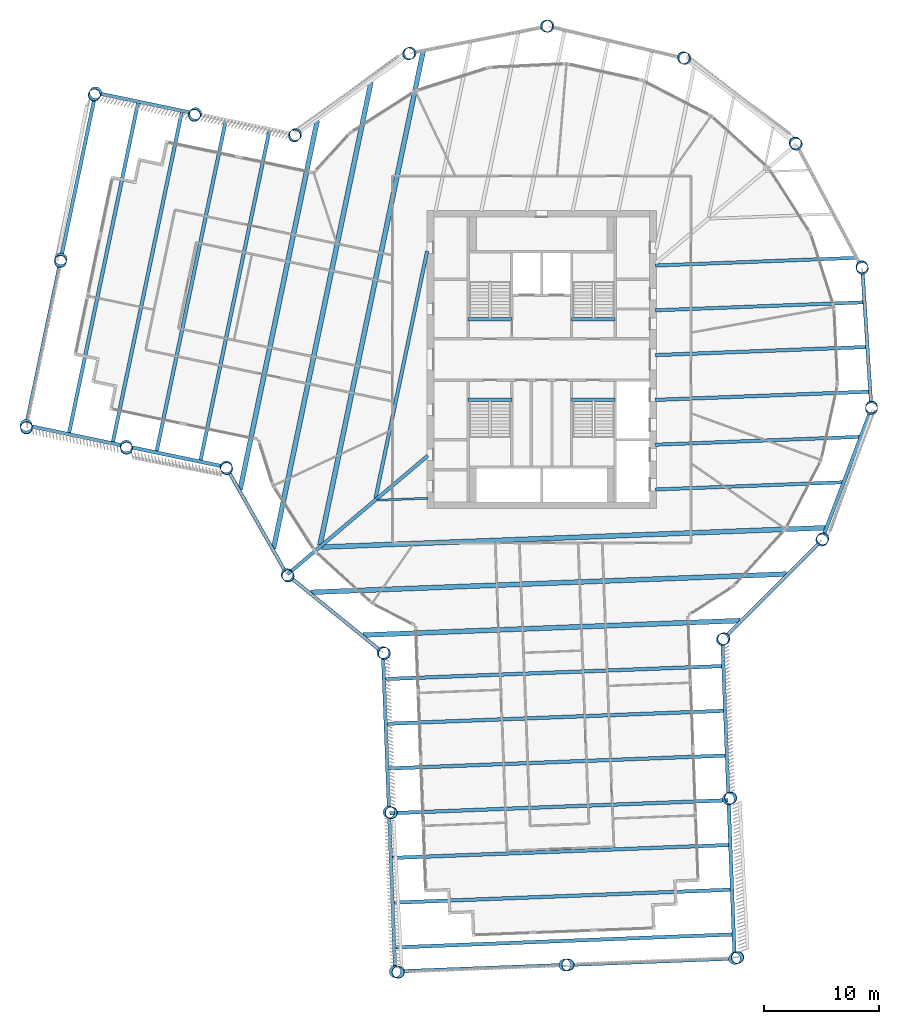
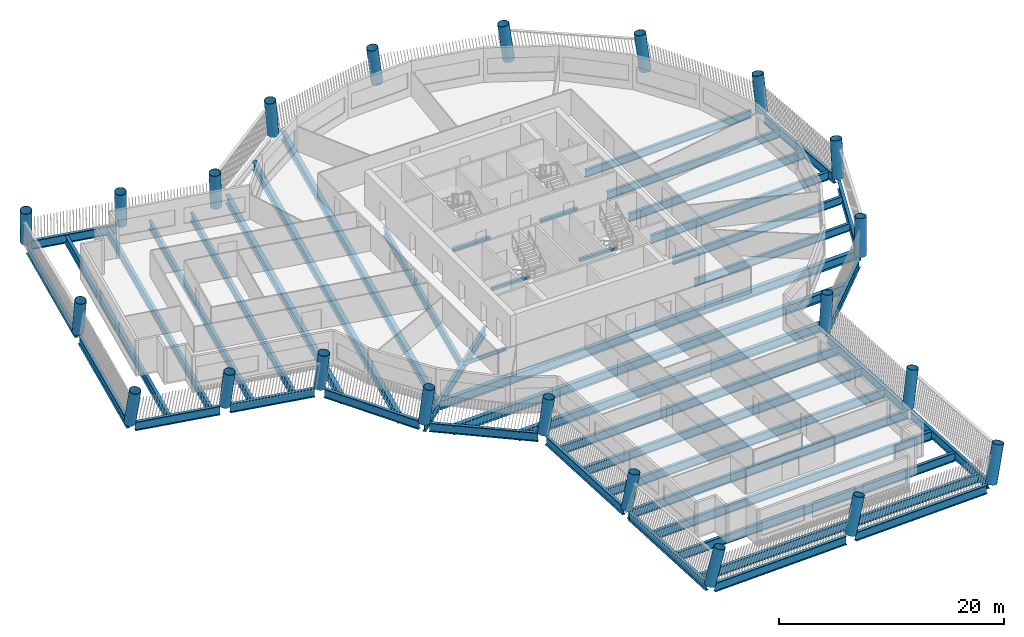
# One storey, part 1 of 14: 46 beams, 22 columns.
"""IFC4 building model written with IfcOpenShell, lengths in metres."""

from ifc_helpers import new_model, si_unit, direction, frame, origin, origin_2d, place, context, subcontext, project, spatial, rectangle, hollow_circle, i_section, extrude, material, material_profile, profile_set, type_object, element, save


model = new_model("IFC4")

# Units and contexts
model_context = context("Model", 3, precision=1e-05, world=origin(), true_north=direction((0.0, 1.0)))
body_context = subcontext(model_context, "Body", "Model", "MODEL_VIEW")
ifc_project = project(units=[si_unit("LENGTHUNIT", "METRE"), si_unit("AREAUNIT", "SQUARE_METRE"), si_unit("VOLUMEUNIT", "CUBIC_METRE"), si_unit("PLANEANGLEUNIT", "RADIAN"), si_unit("MASSUNIT", "GRAM", prefix="KILO")], contexts=[model_context])

# Site, building, storey
site_placement = place(None, origin())
site = spatial("IfcSite", under=ifc_project, at=site_placement, CompositionType="ELEMENT")
building_placement = place(site_placement, origin())
building = spatial("IfcBuilding", under=site, at=building_placement, Name="Tarsis Ring Headquarters", CompositionType="ELEMENT")
storey_placement = place(building_placement, frame((0.0, 0.0, 235.5)))
storey = spatial("IfcBuildingStorey", under=building, at=storey_placement, Name="L55", CompositionType="ELEMENT", Elevation=235.5)

# Columns
ifc_material_1 = material(Name="Structural steel S355", Category="steel")
ifc_material_profile_1 = material_profile(ifc_material_1, hollow_circle(Radius=0.533447265625, WallThickness=0.044921875, at=origin_2d()), Name="CHS 1067x45")
ifc_profile_set_1 = profile_set([ifc_material_profile_1], Name="Structural steel S355")
column_type = type_object("IfcColumnType", Name="XC Exo column CHS 1067x45", PredefinedType="COLUMN", material=ifc_profile_set_1)
for number, where, z_axis, x_axis, name in (
    (1, (-22.18701171875, -18.749755859375, 0.0009765625), (0.080734064269, -0.09391006244, 0.992301824567), (0.7582993103, 0.651906554652, 0.0), "Exo column XC5 F1"),
    (2, (-13.829345703125, -25.54541015625, 0.0009765625), (0.109386159208, -0.057987094625, 0.992306487448), (0.468372018536, 0.883531353294, 0.0), "Exo column XC5 AK"),
):
    element("IfcColumn", number, at=place(storey_placement, frame(where, z_axis=z_axis, x_axis=x_axis)), inside=storey, type_object=column_type, Name=name, PredefinedType="COLUMN", context=body_context, shape_type="SweptSolid", body=[
        extrude(hollow_circle(Radius=0.533447265625, WallThickness=0.044921875, at=origin_2d()), origin(), (0.0, 0.0, 1.0), 3.92822265625),
    ])
column_1_placement = place(storey_placement, frame((-13.295654296875, -39.437255859375, 0.00146484375), z_axis=(0.167240964903, -0.054821982964, 0.984390679478), x_axis=(0.31149361708, 0.950248244681, 0.0)))
element("IfcColumn", 3, at=column_1_placement, inside=storey, type_object=column_type, Name="Exo column XC5 AI1", PredefinedType="COLUMN", context=body_context, shape_type="SweptSolid", body=[
    extrude(hollow_circle(Radius=0.533447265625, WallThickness=0.044921875, at=origin_2d()), origin(), (0.0, 0.0, 1.0), 3.958984375),
])
column_2_placement = place(storey_placement, frame((-12.76171875, -53.329345703125, 0.001708984375), z_axis=(0.223398721165, -0.051473797615, 0.97336707338), x_axis=(0.224529198285, 0.974467361751, 0.0)))
element("IfcColumn", 4, at=column_2_placement, inside=storey, type_object=column_type, Name="Exo column XC5 AT1", PredefinedType="COLUMN", context=body_context, shape_type="SweptSolid", body=[
    extrude(hollow_circle(Radius=0.533447265625, WallThickness=0.044921875, at=origin_2d()), origin(), (0.0, 0.0, 1.0), 4.003173828125),
])
column_3_placement = place(storey_placement, frame((2.02734375, -52.760986328125, 0.001708984375), z_axis=(0.22094108654, 0.010326062949, 0.975232489565), x_axis=(-0.046685765116, 0.998909625209, 0.0)))
element("IfcColumn", 5, at=column_3_placement, inside=storey, type_object=column_type, Name="Exo column XC5 AT2", PredefinedType="COLUMN", context=body_context, shape_type="SweptSolid", body=[
    extrude(hollow_circle(Radius=0.533447265625, WallThickness=0.044921875, at=origin_2d()), origin(), (0.0, 0.0, 1.0), 3.99560546875),
])
column_4_placement = place(storey_placement, frame((16.81640625, -52.19287109375, 0.001708984375), z_axis=(0.217662884204, 0.072147714209, 0.9733537775), x_axis=(-0.314631554214, 0.949213877423, 0.0)))
element("IfcColumn", 6, at=column_4_placement, inside=storey, type_object=column_type, Name="Exo column XC5 AT3", PredefinedType="COLUMN", context=body_context, shape_type="SweptSolid", body=[
    extrude(hollow_circle(Radius=0.533447265625, WallThickness=0.044921875, at=origin_2d()), origin(), (0.0, 0.0, 1.0), 4.003173828125),
])
column_5_placement = place(storey_placement, frame((16.282470703125, -38.30078125, 0.00146484375), z_axis=(0.161383067873, 0.07017727598, 0.984393546982), x_axis=(-0.398777364515, 0.917047770594, 0.0)))
element("IfcColumn", 7, at=column_5_placement, inside=storey, type_object=column_type, Name="Exo column XC5 AO1", PredefinedType="COLUMN", context=body_context, shape_type="SweptSolid", body=[
    extrude(hollow_circle(Radius=0.533447265625, WallThickness=0.044921875, at=origin_2d()), origin(), (0.0, 0.0, 1.0), 3.958984375),
])
for number, where, z_axis, x_axis, name in (
    (8, (15.748779296875, -24.408935546875, 0.0009765625), (0.103481598393, 0.067993314499, 0.992304624587), (-0.549127805646, 0.835738387934, 0.0), "Exo column XC5 AJ"),
    (9, (24.40966796875, -15.747314453125, 0.0009765625), (0.066253111055, 0.104600362012, 0.992305038555), (-0.84479638515, 0.535087906458, 0.0), "Exo column XC5 R1"),
    (10, (28.73046875, -4.285888671875, 0.0009765625), (0.017277976852, 0.122623914852, 0.992302800068), (-0.990218693636, 0.139523972038, 0.0), "Exo column XC5 R2"),
    (11, (27.943115234375, 7.9375, 0.0009765625), (-0.034866678245, 0.118832600366, 0.992301933808), (-0.959549098883, -0.281541341252, 0.0), "Exo column XC5 R3"),
    (12, (22.18701171875, 18.749755859375, 0.0009765625), (-0.080734064269, 0.09391006244, 0.992301824567), (-0.7582993103, -0.651906554652, 0.0), "Exo column XC5 R4"),
    (13, (12.486083984375, 26.22802734375, 0.0009765625), (-0.112244571289, 0.052331079194, 0.99230167508), (-0.422555756379, -0.906336931141, 0.0), "Exo column XC5 R5"),
    (14, (0.565185546875, 29.04296875, 0.0009765625), (-0.123866331906, 0.001367315254, 0.992297970505), (-0.011037962748, -0.999939079834, 0.0), "Exo column XC5 R6"),
    (15, (-11.456298828125, 26.694091796875, 0.0009765625), (-0.113424731513, -0.049844731328, 0.992295486758), (0.402318293864, -0.915499858232, 0.0), "Exo column XC5 R7"),
    (16, (-21.44091796875, 19.5986328125, 0.0009765625), (-0.082785040959, -0.092107680707, 0.992301774738), (0.743743149185, -0.668465502506, 0.0), "Exo column XC5 BJ"),
):
    element("IfcColumn", number, at=place(storey_placement, frame(where, z_axis=z_axis, x_axis=x_axis)), inside=storey, type_object=column_type, Name=name, PredefinedType="COLUMN", context=body_context, shape_type="SweptSolid", body=[
        extrude(hollow_circle(Radius=0.533447265625, WallThickness=0.044921875, at=origin_2d()), origin(), (0.0, 0.0, 1.0), 3.92822265625),
    ])
column_6_placement = place(storey_placement, frame((-30.155029296875, 21.4189453125, 0.001220703125), z_axis=(-0.089766319077, -0.128679492543, 0.98761510527), x_axis=(0.82015707478, -0.572138420916, 0.0)))
element("IfcColumn", 17, at=column_6_placement, inside=storey, type_object=column_type, Name="Exo column XC5 BO1", PredefinedType="COLUMN", context=body_context, shape_type="SweptSolid", body=[
    extrude(hollow_circle(Radius=0.533447265625, WallThickness=0.044921875, at=origin_2d()), origin(), (0.0, 0.0, 1.0), 3.9462890625),
])
column_7_placement = place(storey_placement, frame((-38.869140625, 23.239501953125, 0.00146484375), z_axis=(-0.096609623718, -0.164746773992, 0.981593134177), x_axis=(0.862620453578, -0.505851710553, 0.0)))
element("IfcColumn", 18, at=column_7_placement, inside=storey, type_object=column_type, Name="Exo column XC5 BT3", PredefinedType="COLUMN", context=body_context, shape_type="SweptSolid", body=[
    extrude(hollow_circle(Radius=0.533447265625, WallThickness=0.044921875, at=origin_2d()), origin(), (0.0, 0.0, 1.0), 3.969970703125),
])
column_8_placement = place(storey_placement, frame((-41.8955078125, 8.752197265625, 0.00146484375), z_axis=(-0.035488545079, -0.177319501279, 0.983513272729), x_axis=(0.980554458712, -0.196247174502, 0.0)))
element("IfcColumn", 19, at=column_8_placement, inside=storey, type_object=column_type, Name="Exo column XC5 BT2", PredefinedType="COLUMN", context=body_context, shape_type="SweptSolid", body=[
    extrude(hollow_circle(Radius=0.533447265625, WallThickness=0.044921875, at=origin_2d()), origin(), (0.0, 0.0, 1.0), 3.962646484375),
])
column_9_placement = place(storey_placement, frame((-44.922119140625, -5.735107421875, 0.00146484375), z_axis=(0.025766743597, -0.189222601549, 0.981596089024), x_axis=(0.990855624635, 0.134926391525, 0.0)))
element("IfcColumn", 20, at=column_9_placement, inside=storey, type_object=column_type, Name="Exo column XC5 BT1", PredefinedType="COLUMN", context=body_context, shape_type="SweptSolid", body=[
    extrude(hollow_circle(Radius=0.533447265625, WallThickness=0.044921875, at=origin_2d()), origin(), (0.0, 0.0, 1.0), 3.969970703125),
])
column_10_placement = place(storey_placement, frame((-36.2080078125, -7.555419921875, 0.001220703125), z_axis=(0.033345045293, -0.153362462488, 0.987607241293), x_axis=(0.977169248234, 0.21246237386, 0.0)))
element("IfcColumn", 21, at=column_10_placement, inside=storey, type_object=column_type, Name="Exo column XC5 BI1", PredefinedType="COLUMN", context=body_context, shape_type="SweptSolid", body=[
    extrude(hollow_circle(Radius=0.533447265625, WallThickness=0.044921875, at=origin_2d()), origin(), (0.0, 0.0, 1.0), 3.9462890625),
])
column_11_placement = place(storey_placement, frame((-27.493896484375, -9.3759765625, 0.0009765625), z_axis=(0.040957611646, -0.116844172829, 0.992305352865), x_axis=(0.943701734481, 0.330797576076, 0.0)))
element("IfcColumn", 22, at=column_11_placement, inside=storey, type_object=column_type, Name="Exo column XC5 BK", PredefinedType="COLUMN", context=body_context, shape_type="SweptSolid", body=[
    extrude(hollow_circle(Radius=0.533447265625, WallThickness=0.044921875, at=origin_2d()), origin(), (0.0, 0.0, 1.0), 3.92822265625),
])

# Beams
ifc_material_profile_2 = material_profile(ifc_material_1, i_section(OverallWidth=0.177734375, OverallDepth=0.406494140625, WebThickness=0.0078125, FlangeThickness=0.0126953125, at=origin_2d()), Name="W16x40")
ifc_profile_set_2 = profile_set([ifc_material_profile_2], Name="Structural steel S355")
beam_type_1 = type_object("IfcBeamType", Name="FB Floor beam W16x40", PredefinedType="JOIST", material=ifc_profile_set_2)
beam_1_placement = place(storey_placement, frame((-14.363525390625, -12.260498046875, -0.36328125), z_axis=(0.99926149754, 0.038424725565, 0.0), x_axis=(-0.038424725565, 0.99926149754, 0.0)))
element("IfcBeam", 23, at=beam_1_placement, inside=storey, type_object=beam_type_1, Name="Floor beam FB1", PredefinedType="JOIST", context=body_context, shape_type="SweptSolid", body=[
    extrude(i_section(OverallWidth=0.177734375, OverallDepth=0.406494140625, WebThickness=0.0078125, FlangeThickness=0.0126953125, at=origin_2d()), origin(), (0.0, 0.0, 1.0), 4.466796875),
])
ifc_material_profile_3 = material_profile(ifc_material_1, i_section(OverallWidth=0.2919921875, OverallDepth=0.835693359375, WebThickness=0.013916015625, FlangeThickness=0.018798828125, at=origin_2d()), Name="W33x118")
ifc_profile_set_3 = profile_set([ifc_material_profile_3], Name="Structural steel S355")
beam_type_2 = type_object("IfcBeamType", Name="FB Floor beam W33x118", PredefinedType="JOIST", material=ifc_profile_set_3)
beam_2_placement = place(storey_placement, frame((9.900146484375, 8.18603515625, -0.577880859375), z_axis=(0.99926261704, 0.038395601144, 0.0), x_axis=(-0.038395601144, 0.99926261704, 0.0)))
element("IfcBeam", 24, at=beam_2_placement, inside=storey, type_object=beam_type_2, Name="Floor beam FB7", PredefinedType="JOIST", context=body_context, shape_type="SweptSolid", body=[
    extrude(i_section(OverallWidth=0.2919921875, OverallDepth=0.835693359375, WebThickness=0.013916015625, FlangeThickness=0.018798828125, at=origin_2d()), origin(), (0.0, 0.0, 1.0), 17.492431640625),
])
beam_3_placement = place(storey_placement, frame((9.900146484375, 4.283203125, -0.577880859375), z_axis=(0.999263116055, 0.038382611834, 0.0), x_axis=(-0.038382611834, 0.999263116055, 0.0)))
element("IfcBeam", 25, at=beam_3_placement, inside=storey, type_object=beam_type_2, Name="Floor beam FB7", PredefinedType="JOIST", context=body_context, shape_type="SweptSolid", body=[
    extrude(i_section(OverallWidth=0.2919921875, OverallDepth=0.835693359375, WebThickness=0.013916015625, FlangeThickness=0.018798828125, at=origin_2d()), origin(), (0.0, 0.0, 1.0), 18.191650390625),
])
beam_4_placement = place(storey_placement, frame((9.900146484375, -7.425537109375, -0.577880859375), z_axis=(0.999262850397, 0.038389527422, 0.0), x_axis=(-0.038389527422, 0.999262850397, 0.0)))
element("IfcBeam", 26, at=beam_4_placement, inside=storey, type_object=beam_type_2, Name="Floor beam FB7", PredefinedType="JOIST", context=body_context, shape_type="SweptSolid", body=[
    extrude(i_section(OverallWidth=0.2919921875, OverallDepth=0.835693359375, WebThickness=0.013916015625, FlangeThickness=0.018798828125, at=origin_2d()), origin(), (0.0, 0.0, 1.0), 17.851318359375),
])
beam_5_placement = place(storey_placement, frame((9.900146484375, -11.328369140625, -0.577880859375), z_axis=(0.999262893261, 0.038388411672, 0.0), x_axis=(-0.038388411672, 0.999262893261, 0.0)))
element("IfcBeam", 27, at=beam_5_placement, inside=storey, type_object=beam_type_2, Name="Floor beam FB7", PredefinedType="JOIST", context=body_context, shape_type="SweptSolid", body=[
    extrude(i_section(OverallWidth=0.2919921875, OverallDepth=0.835693359375, WebThickness=0.013916015625, FlangeThickness=0.018798828125, at=origin_2d()), origin(), (0.0, 0.0, 1.0), 16.357177734375),
])
ifc_material_profile_4 = material_profile(ifc_material_1, i_section(OverallWidth=0.3046875, OverallDepth=0.904296875, WebThickness=0.01513671875, FlangeThickness=0.02001953125, at=origin_2d()), Name="W36x135")
ifc_profile_set_4 = profile_set([ifc_material_profile_4], Name="Structural steel S355")
beam_type_3 = type_object("IfcBeamType", Name="FB Floor beam W36x135", PredefinedType="JOIST", material=ifc_profile_set_4)
beam_6_placement = place(storey_placement, frame((9.900146484375, 0.38037109375, -0.612060546875), z_axis=(0.999262835767, 0.038389908243, 0.0), x_axis=(-0.038389908243, 0.999262835767, 0.0)))
element("IfcBeam", 28, at=beam_6_placement, inside=storey, type_object=beam_type_3, Name="Floor beam FB8", PredefinedType="JOIST", context=body_context, shape_type="SweptSolid", body=[
    extrude(i_section(OverallWidth=0.3046875, OverallDepth=0.904296875, WebThickness=0.01513671875, FlangeThickness=0.02001953125, at=origin_2d()), origin(), (0.0, 0.0, 1.0), 18.442626953125),
])
beam_7_placement = place(storey_placement, frame((9.900146484375, -3.5224609375, -0.612060546875), z_axis=(0.999263083212, 0.038383466882, 0.0), x_axis=(-0.038383466882, 0.999263083212, 0.0)))
element("IfcBeam", 29, at=beam_7_placement, inside=storey, type_object=beam_type_3, Name="Floor beam FB8", PredefinedType="JOIST", context=body_context, shape_type="SweptSolid", body=[
    extrude(i_section(OverallWidth=0.3046875, OverallDepth=0.904296875, WebThickness=0.01513671875, FlangeThickness=0.02001953125, at=origin_2d()), origin(), (0.0, 0.0, 1.0), 18.693603515625),
])
ifc_material_profile_5 = material_profile(ifc_material_1, i_section(OverallWidth=0.3046875, OverallDepth=0.91943359375, WebThickness=0.017333984375, FlangeThickness=0.02783203125, at=origin_2d()), Name="W36x170")
ifc_profile_set_5 = profile_set([ifc_material_profile_5], Name="Structural steel S355")
beam_type_4 = type_object("IfcBeamType", Name="FB Floor beam W36x170", PredefinedType="JOIST", material=ifc_profile_set_5)
beam_8_placement = place(storey_placement, frame((-9.9794921875, 9.4443359375, -0.61962890625), z_axis=(-0.204500390259, -0.978866482409, 0.0), x_axis=(0.978866482409, -0.204500390259, 0.0)))
element("IfcBeam", 30, at=beam_8_placement, inside=storey, type_object=beam_type_4, Name="Floor beam FB9", PredefinedType="JOIST", context=body_context, shape_type="SweptSolid", body=[
    extrude(i_section(OverallWidth=0.3046875, OverallDepth=0.91943359375, WebThickness=0.017333984375, FlangeThickness=0.02783203125, at=origin_2d()), origin(), (0.0, 0.0, 1.0), 22.027587890625),
])
ifc_material_profile_6 = material_profile(ifc_material_1, i_section(OverallWidth=0.309814453125, OverallDepth=0.949951171875, WebThickness=0.0244140625, FlangeThickness=0.0439453125, at=origin_2d()), Name="W36x256")
ifc_profile_set_6 = profile_set([ifc_material_profile_6], Name="Structural steel S355")
beam_type_5 = type_object("IfcBeamType", Name="FB Floor beam W36x256", PredefinedType="JOIST", material=ifc_profile_set_6)
beam_9_placement = place(storey_placement, frame((-13.686279296875, -27.845947265625, -0.635009765625), z_axis=(0.999262897844, 0.038388292398, 0.0), x_axis=(-0.038388292398, 0.999262897844, 0.0)))
element("IfcBeam", 31, at=beam_9_placement, inside=storey, type_object=beam_type_5, Name="Floor beam FB11", PredefinedType="JOIST", context=body_context, shape_type="SweptSolid", body=[
    extrude(i_section(OverallWidth=0.309814453125, OverallDepth=0.949951171875, WebThickness=0.0244140625, FlangeThickness=0.0439453125, at=origin_2d()), origin(), (0.0, 0.0, 1.0), 29.490234375),
])
for number, where, z_axis, x_axis, name in (
    (32, (-13.536376953125, -31.742919921875, -0.635009765625), (0.999263203185, 0.038380343407, 0.0), (-0.038380343407, 0.999263203185, 0.0), "Floor beam FB11"),
    (33, (-13.38671875, -35.64013671875, -0.635009765625), (0.999262885643, 0.038388609971, 0.0), (-0.038388609971, 0.999262885643, 0.0), "Floor beam FB11"),
    (34, (-13.237060546875, -39.537353515625, -0.635009765625), (0.999262885643, 0.038388609971, 0.0), (-0.038388609971, 0.999262885643, 0.0), "Floor beam FB11"),
):
    element("IfcBeam", number, at=place(storey_placement, frame(where, z_axis=z_axis, x_axis=x_axis)), inside=storey, type_object=beam_type_5, Name=name, PredefinedType="JOIST", context=body_context, shape_type="SweptSolid", body=[
        extrude(i_section(OverallWidth=0.309814453125, OverallDepth=0.949951171875, WebThickness=0.0244140625, FlangeThickness=0.0439453125, at=origin_2d()), origin(), (0.0, 0.0, 1.0), 29.489990234375),
    ])
for number, where, z_axis, x_axis, name in (
    (35, (-13.08740234375, -43.434326171875, -0.635009765625), (0.999262897844, 0.038388292398, 0.0), (-0.038388292398, 0.999262897844, 0.0), "Floor beam FB11"),
    (36, (-12.937744140625, -47.33154296875, -0.635009765625), (0.999262897844, 0.038388292398, 0.0), (-0.038388292398, 0.999262897844, 0.0), "Floor beam FB11"),
):
    element("IfcBeam", number, at=place(storey_placement, frame(where, z_axis=z_axis, x_axis=x_axis)), inside=storey, type_object=beam_type_5, Name=name, PredefinedType="JOIST", context=body_context, shape_type="SweptSolid", body=[
        extrude(i_section(OverallWidth=0.309814453125, OverallDepth=0.949951171875, WebThickness=0.0244140625, FlangeThickness=0.0439453125, at=origin_2d()), origin(), (0.0, 0.0, 1.0), 29.490234375),
    ])
for number, where, z_axis, x_axis, name in (
    (37, (-12.787841796875, -51.228759765625, -0.635009765625), (0.999262885643, 0.038388609971, 0.0), (-0.038388609971, 0.999262885643, 0.0), "Floor beam FB11"),
    (38, (-23.707763671875, 20.01611328125, -0.635009765625), (-0.204494424527, -0.978867728724, 0.0), (0.978867728724, -0.204494424527, 0.0), "Floor beam FB11"),
):
    element("IfcBeam", number, at=place(storey_placement, frame(where, z_axis=z_axis, x_axis=x_axis)), inside=storey, type_object=beam_type_5, Name=name, PredefinedType="JOIST", context=body_context, shape_type="SweptSolid", body=[
        extrude(i_section(OverallWidth=0.309814453125, OverallDepth=0.949951171875, WebThickness=0.0244140625, FlangeThickness=0.0439453125, at=origin_2d()), origin(), (0.0, 0.0, 1.0), 29.489990234375),
    ])
for number, where, z_axis, x_axis, name in (
    (39, (-27.525390625, 20.813720703125, -0.635009765625), (-0.20449276735, -0.978868074922, 0.0), (0.978868074922, -0.20449276735, 0.0), "Floor beam FB11"),
    (40, (-31.343017578125, 21.611328125, -0.635009765625), (-0.20449276735, -0.978868074922, 0.0), (0.978868074922, -0.20449276735, 0.0), "Floor beam FB11"),
):
    element("IfcBeam", number, at=place(storey_placement, frame(where, z_axis=z_axis, x_axis=x_axis)), inside=storey, type_object=beam_type_5, Name=name, PredefinedType="JOIST", context=body_context, shape_type="SweptSolid", body=[
        extrude(i_section(OverallWidth=0.309814453125, OverallDepth=0.949951171875, WebThickness=0.0244140625, FlangeThickness=0.0439453125, at=origin_2d()), origin(), (0.0, 0.0, 1.0), 29.490234375),
    ])
beam_10_placement = place(storey_placement, frame((-35.16064453125, 22.40869140625, -0.635009765625), z_axis=(-0.204494424527, -0.978867728724, 0.0), x_axis=(0.978867728724, -0.204494424527, 0.0)))
element("IfcBeam", 41, at=beam_10_placement, inside=storey, type_object=beam_type_5, Name="Floor beam FB11", PredefinedType="JOIST", context=body_context, shape_type="SweptSolid", body=[
    extrude(i_section(OverallWidth=0.309814453125, OverallDepth=0.949951171875, WebThickness=0.0244140625, FlangeThickness=0.0439453125, at=origin_2d()), origin(), (0.0, 0.0, 1.0), 29.489990234375),
])
beam_type_6 = type_object("IfcBeamType", Name="FB Floor beam W36x256 spine", PredefinedType="BEAM", material=ifc_profile_set_6)
beam_11_placement = place(storey_placement, frame((-9.923583984375, -8.38623046875, -0.635009765625), z_axis=(-0.763798844739, -0.645454355299, 0.0), x_axis=(0.645454355299, -0.763798844739, 0.0)))
element("IfcBeam", 42, at=beam_11_placement, inside=storey, type_object=beam_type_6, Name="Floor beam SB11", PredefinedType="BEAM", context=body_context, shape_type="SweptSolid", body=[
    extrude(i_section(OverallWidth=0.309814453125, OverallDepth=0.949951171875, WebThickness=0.0244140625, FlangeThickness=0.0439453125, at=origin_2d()), origin(), (0.0, 0.0, 1.0), 15.998291015625),
])
ifc_material_profile_7 = material_profile(ifc_material_1, i_section(OverallWidth=0.42431640625, OverallDepth=0.947509765625, WebThickness=0.02392578125, FlangeThickness=0.042724609375, at=origin_2d()), Name="W36x302")
ifc_profile_set_7 = profile_set([ifc_material_profile_7], Name="Structural steel S355")
beam_type_7 = type_object("IfcBeamType", Name="FB Floor beam W36x302", PredefinedType="JOIST", material=ifc_profile_set_7)
beam_12_placement = place(storey_placement, frame((-19.201904296875, -16.34912109375, -0.6337890625), z_axis=(0.99926297719, 0.038386226923, 0.0), x_axis=(-0.038386226923, 0.99926297719, 0.0)))
element("IfcBeam", 43, at=beam_12_placement, inside=storey, type_object=beam_type_7, Name="Floor beam FB12", PredefinedType="JOIST", context=body_context, shape_type="SweptSolid", body=[
    extrude(i_section(OverallWidth=0.42431640625, OverallDepth=0.947509765625, WebThickness=0.02392578125, FlangeThickness=0.042724609375, at=origin_2d()), origin(), (0.0, 0.0, 1.0), 43.986572265625),
])
beam_13_placement = place(storey_placement, frame((-20.1533203125, -20.28857421875, -0.6337890625), z_axis=(0.999262919235, 0.038387735575, 0.0), x_axis=(-0.038387735575, 0.999262919235, 0.0)))
element("IfcBeam", 44, at=beam_13_placement, inside=storey, type_object=beam_type_7, Name="Floor beam FB12", PredefinedType="JOIST", context=body_context, shape_type="SweptSolid", body=[
    extrude(i_section(OverallWidth=0.42431640625, OverallDepth=0.947509765625, WebThickness=0.02392578125, FlangeThickness=0.042724609375, at=origin_2d()), origin(), (0.0, 0.0, 1.0), 41.5234375),
])
beam_14_placement = place(storey_placement, frame((-15.570068359375, -24.015380859375, -0.6337890625), z_axis=(0.999262972513, 0.038386348674, 0.0), x_axis=(-0.038386348674, 0.999262972513, 0.0)))
element("IfcBeam", 45, at=beam_14_placement, inside=storey, type_object=beam_type_7, Name="Floor beam FB12", PredefinedType="JOIST", context=body_context, shape_type="SweptSolid", body=[
    extrude(i_section(OverallWidth=0.42431640625, OverallDepth=0.947509765625, WebThickness=0.02392578125, FlangeThickness=0.042724609375, at=origin_2d()), origin(), (0.0, 0.0, 1.0), 32.875244140625),
])
beam_15_placement = place(storey_placement, frame((-10.327392578125, 26.8505859375, -0.6337890625), z_axis=(-0.204496363571, -0.978867323638, 0.0), x_axis=(0.978867323638, -0.204496363571, 0.0)))
element("IfcBeam", 46, at=beam_15_placement, inside=storey, type_object=beam_type_7, Name="Floor beam FB12", PredefinedType="JOIST", context=body_context, shape_type="SweptSolid", body=[
    extrude(i_section(OverallWidth=0.42431640625, OverallDepth=0.947509765625, WebThickness=0.02392578125, FlangeThickness=0.042724609375, at=origin_2d()), origin(), (0.0, 0.0, 1.0), 43.986572265625),
])
beam_16_placement = place(storey_placement, frame((-14.8740234375, 24.158447265625, -0.6337890625), z_axis=(-0.204496353796, -0.97886732568, 0.0), x_axis=(0.97886732568, -0.204496353796, 0.0)))
element("IfcBeam", 47, at=beam_16_placement, inside=storey, type_object=beam_type_7, Name="Floor beam FB12", PredefinedType="JOIST", context=body_context, shape_type="SweptSolid", body=[
    extrude(i_section(OverallWidth=0.42431640625, OverallDepth=0.947509765625, WebThickness=0.02392578125, FlangeThickness=0.042724609375, at=origin_2d()), origin(), (0.0, 0.0, 1.0), 41.523681640625),
])
beam_17_placement = place(storey_placement, frame((-19.552734375, 20.833740234375, -0.6337890625), z_axis=(-0.204496325887, -0.978867331511, 0.0), x_axis=(0.978867331511, -0.204496325887, 0.0)))
element("IfcBeam", 48, at=beam_17_placement, inside=storey, type_object=beam_type_7, Name="Floor beam FB12", PredefinedType="JOIST", context=body_context, shape_type="SweptSolid", body=[
    extrude(i_section(OverallWidth=0.42431640625, OverallDepth=0.947509765625, WebThickness=0.02392578125, FlangeThickness=0.042724609375, at=origin_2d()), origin(), (0.0, 0.0, 1.0), 32.87548828125),
])
ifc_material_2 = material(Name="Concrete C40/50", Category="concrete")
ifc_material_profile_8 = material_profile(ifc_material_2, rectangle(XDim=0.300048828125, YDim=0.300048828125, at=origin_2d()), Name="Stair head beam 300x300 C40/50")
ifc_profile_set_8 = profile_set([ifc_material_profile_8], Name="Concrete C40/50")
beam_type_8 = type_object("IfcBeamType", Name="Stair head beam 300x300 C40/50", PredefinedType="BEAM", material=ifc_profile_set_8)
for number, where, z_axis, x_axis, name in (
    (49, (-6.39990234375, 3.510009765625, -0.31005859375), (1.0, 0.0, 0.0), (0.0, 1.0, 0.0), "Stair head beam L55 Firefighting stair"),
    (50, (2.60009765625, 3.510009765625, -0.31005859375), (1.0, 0.0, 0.0), (0.0, 1.0, 0.0), "Stair head beam L55 Exit stair B"),
    (51, (-6.39990234375, -3.510009765625, -0.31005859375), (1.0, 0.0, 0.0), (0.0, 1.0, 0.0), "Stair head beam L55 Exit stair C"),
    (52, (2.60009765625, -3.510009765625, -0.31005859375), (1.0, 0.0, 0.0), (0.0, 1.0, 0.0), "Stair head beam L55 Exit stair D"),
):
    element("IfcBeam", number, at=place(storey_placement, frame(where, z_axis=z_axis, x_axis=x_axis)), inside=storey, type_object=beam_type_8, Name=name, PredefinedType="BEAM", context=body_context, shape_type="SweptSolid", body=[
        extrude(rectangle(XDim=0.300048828125, YDim=0.300048828125, at=origin_2d()), origin(), (0.0, 0.0, 1.0), 3.7998046875),
    ])
beam_type_9 = type_object("IfcBeamType", Name="XG Ring girder W36x256", PredefinedType="BEAM", material=ifc_profile_set_6)
beam_18_placement = place(storey_placement, frame((-21.814697265625, -19.052490234375, -0.47509765625), z_axis=(0.775877234795, -0.63088391684, 0.0), x_axis=(0.63088391684, 0.775877234795, 0.0)))
element("IfcBeam", 53, at=beam_18_placement, inside=storey, type_object=beam_type_9, Name="Ring girder XG2", PredefinedType="BEAM", context=body_context, shape_type="SweptSolid", body=[
    extrude(i_section(OverallWidth=0.309814453125, OverallDepth=0.949951171875, WebThickness=0.0244140625, FlangeThickness=0.0439453125, at=origin_2d()), origin(), (0.0, 0.0, 1.0), 9.8115234375),
])
for number, where, z_axis, x_axis, name in (
    (54, (-13.81103515625, -26.02490234375, -0.47509765625), (0.038388205164, -0.999262901195, 0.0), (0.999262901195, 0.038388205164, 0.0), "Ring girder XG2"),
    (55, (-13.27734375, -39.9169921875, -0.47509765625), (0.038369368959, -0.999263624638, 0.0), (0.999263624638, 0.038369368959, 0.0), "Ring girder XG2"),
):
    element("IfcBeam", number, at=place(storey_placement, frame(where, z_axis=z_axis, x_axis=x_axis)), inside=storey, type_object=beam_type_9, Name=name, PredefinedType="BEAM", context=body_context, shape_type="SweptSolid", body=[
        extrude(i_section(OverallWidth=0.309814453125, OverallDepth=0.949951171875, WebThickness=0.0244140625, FlangeThickness=0.0439453125, at=origin_2d()), origin(), (0.0, 0.0, 1.0), 12.942138671875),
    ])
for number, where, z_axis, x_axis, name in (
    (56, (-12.282470703125, -53.310791015625, -0.47509765625), (0.999262997485, 0.038385698594, 0.0), (-0.038385698594, 0.999262997485, 0.0), "Ring girder XG2"),
    (57, (2.506591796875, -52.74267578125, -0.47509765625), (0.999262997485, 0.038385698594, 0.0), (-0.038385698594, 0.999262997485, 0.0), "Ring girder XG2"),
):
    element("IfcBeam", number, at=place(storey_placement, frame(where, z_axis=z_axis, x_axis=x_axis)), inside=storey, type_object=beam_type_9, Name=name, PredefinedType="BEAM", context=body_context, shape_type="SweptSolid", body=[
        extrude(i_section(OverallWidth=0.309814453125, OverallDepth=0.949951171875, WebThickness=0.0244140625, FlangeThickness=0.0439453125, at=origin_2d()), origin(), (0.0, 0.0, 1.0), 13.83984375),
    ])
beam_19_placement = place(storey_placement, frame((16.797607421875, -51.713134765625, -0.47509765625), z_axis=(-0.038388928798, 0.999262873395, 0.0), x_axis=(-0.999262873395, -0.038388928798, 0.0)))
element("IfcBeam", 58, at=beam_19_placement, inside=storey, type_object=beam_type_9, Name="Ring girder XG2", PredefinedType="BEAM", context=body_context, shape_type="SweptSolid", body=[
    extrude(i_section(OverallWidth=0.309814453125, OverallDepth=0.949951171875, WebThickness=0.0244140625, FlangeThickness=0.0439453125, at=origin_2d()), origin(), (0.0, 0.0, 1.0), 12.94189453125),
])
beam_20_placement = place(storey_placement, frame((16.263916015625, -37.8212890625, -0.47509765625), z_axis=(-0.038388205164, 0.999262901195, 0.0), x_axis=(-0.999262901195, -0.038388205164, 0.0)))
element("IfcBeam", 59, at=beam_20_placement, inside=storey, type_object=beam_type_9, Name="Ring girder XG2", PredefinedType="BEAM", context=body_context, shape_type="SweptSolid", body=[
    extrude(i_section(OverallWidth=0.309814453125, OverallDepth=0.949951171875, WebThickness=0.0244140625, FlangeThickness=0.0439453125, at=origin_2d()), origin(), (0.0, 0.0, 1.0), 12.942138671875),
])
beam_21_placement = place(storey_placement, frame((16.088134765625, -24.069580078125, -0.47509765625), z_axis=(0.70708515415, 0.707128407562, 0.0), x_axis=(-0.707128407562, 0.70708515415, 0.0)))
element("IfcBeam", 60, at=beam_21_placement, inside=storey, type_object=beam_type_9, Name="Ring girder XG2", PredefinedType="BEAM", context=body_context, shape_type="SweptSolid", body=[
    extrude(i_section(OverallWidth=0.309814453125, OverallDepth=0.949951171875, WebThickness=0.0244140625, FlangeThickness=0.0439453125, at=origin_2d()), origin(), (0.0, 0.0, 1.0), 11.288818359375),
])
beam_22_placement = place(storey_placement, frame((24.5791015625, -15.29833984375, -0.47509765625), z_axis=(0.35275826399, 0.935714490209, 0.0), x_axis=(-0.935714490209, 0.35275826399, 0.0)))
element("IfcBeam", 61, at=beam_22_placement, inside=storey, type_object=beam_type_9, Name="Ring girder XG2", PredefinedType="BEAM", context=body_context, shape_type="SweptSolid", body=[
    extrude(i_section(OverallWidth=0.309814453125, OverallDepth=0.949951171875, WebThickness=0.0244140625, FlangeThickness=0.0439453125, at=origin_2d()), origin(), (0.0, 0.0, 1.0), 11.28857421875),
])
beam_23_placement = place(storey_placement, frame((28.69970703125, -3.80712890625, -0.47509765625), z_axis=(-0.064296823427, 0.997930818493, 0.0), x_axis=(-0.997930818493, -0.064296823427, 0.0)))
element("IfcBeam", 62, at=beam_23_placement, inside=storey, type_object=beam_type_9, Name="Ring girder XG2", PredefinedType="BEAM", context=body_context, shape_type="SweptSolid", body=[
    extrude(i_section(OverallWidth=0.309814453125, OverallDepth=0.949951171875, WebThickness=0.0244140625, FlangeThickness=0.0439453125, at=origin_2d()), origin(), (0.0, 0.0, 1.0), 11.288818359375),
])
beam_24_placement = place(storey_placement, frame((-30.624755859375, 21.517333984375, -0.47509765625), z_axis=(-0.97886467018, 0.204509064524, 0.0), x_axis=(-0.204509064524, -0.97886467018, 0.0)))
element("IfcBeam", 63, at=beam_24_placement, inside=storey, type_object=beam_type_9, Name="Ring girder XG2", PredefinedType="BEAM", context=body_context, shape_type="SweptSolid", body=[
    extrude(i_section(OverallWidth=0.309814453125, OverallDepth=0.949951171875, WebThickness=0.0244140625, FlangeThickness=0.0439453125, at=origin_2d()), origin(), (0.0, 0.0, 1.0), 7.9423828125),
])
for number, where, z_axis, x_axis, name in (
    (64, (-38.967041015625, 22.769775390625, -0.47509765625), (-0.204505095245, -0.978865499453, 0.0), (0.978865499453, -0.204505095245, 0.0), "Ring girder XG2"),
    (65, (-41.99365234375, 8.282470703125, -0.47509765625), (-0.204505095245, -0.978865499453, 0.0), (0.978865499453, -0.204505095245, 0.0), "Ring girder XG2"),
):
    element("IfcBeam", number, at=place(storey_placement, frame(where, z_axis=z_axis, x_axis=x_axis)), inside=storey, type_object=beam_type_9, Name=name, PredefinedType="BEAM", context=body_context, shape_type="SweptSolid", body=[
        extrude(i_section(OverallWidth=0.309814453125, OverallDepth=0.949951171875, WebThickness=0.0244140625, FlangeThickness=0.0439453125, at=origin_2d()), origin(), (0.0, 0.0, 1.0), 13.83984375),
    ])
for number, where, z_axis, x_axis, name in (
    (66, (-44.4521484375, -5.8330078125, -0.47509765625), (0.978869538052, -0.2044857635, 0.0), (0.2044857635, 0.978869538052, 0.0), "Ring girder XG2"),
    (67, (-35.738037109375, -7.653564453125, -0.47509765625), (0.978869538052, -0.2044857635, 0.0), (0.2044857635, 0.978869538052, 0.0), "Ring girder XG2"),
):
    element("IfcBeam", number, at=place(storey_placement, frame(where, z_axis=z_axis, x_axis=x_axis)), inside=storey, type_object=beam_type_9, Name=name, PredefinedType="BEAM", context=body_context, shape_type="SweptSolid", body=[
        extrude(i_section(OverallWidth=0.309814453125, OverallDepth=0.949951171875, WebThickness=0.0244140625, FlangeThickness=0.0439453125, at=origin_2d()), origin(), (0.0, 0.0, 1.0), 7.94189453125),
    ])
beam_25_placement = place(storey_placement, frame((-27.25732421875, -9.79345703125, -0.47509765625), z_axis=(0.492654042392, -0.870225255043, 0.0), x_axis=(0.870225255043, 0.492654042392, 0.0)))
element("IfcBeam", 68, at=beam_25_placement, inside=storey, type_object=beam_type_9, Name="Ring girder XG2", PredefinedType="BEAM", context=body_context, shape_type="SweptSolid", body=[
    extrude(i_section(OverallWidth=0.309814453125, OverallDepth=0.949951171875, WebThickness=0.0244140625, FlangeThickness=0.0439453125, at=origin_2d()), origin(), (0.0, 0.0, 1.0), 9.8115234375),
])

save(model, "model.ifc")
